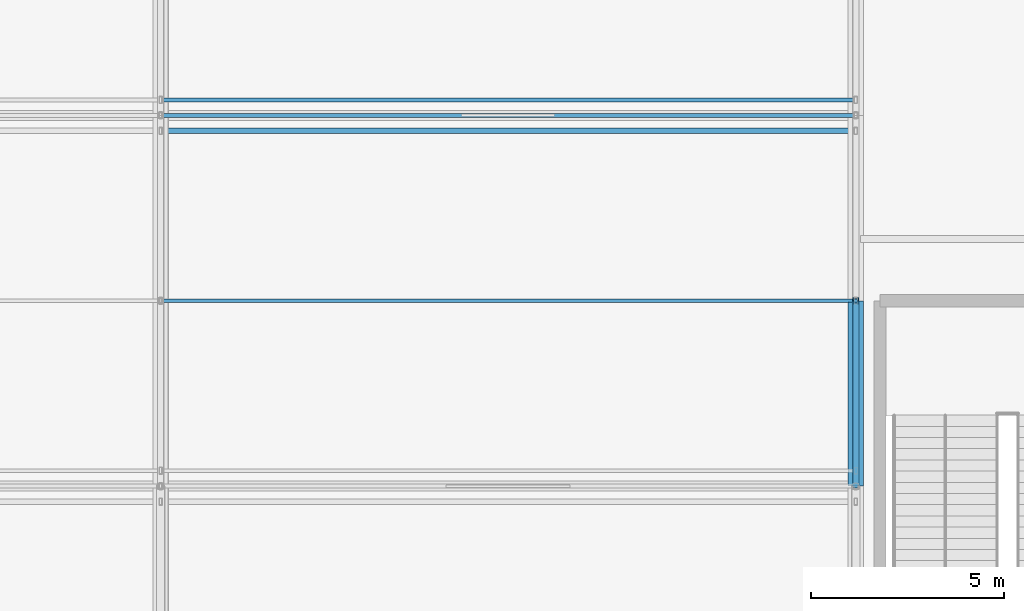
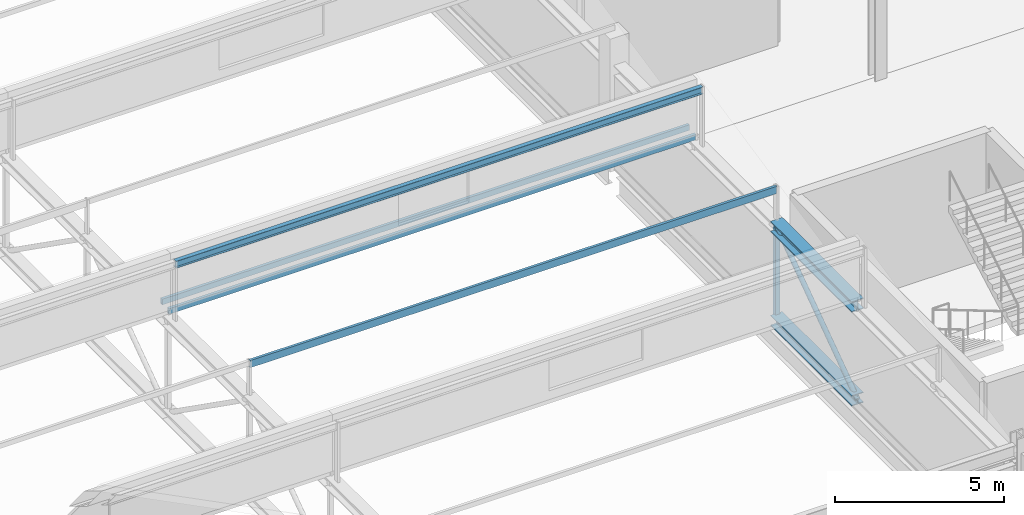
# One storey, part 66 of 136: 6 members, 2 beams.
"""IFC4 building model written with IfcOpenShell, lengths in metres."""

from ifc_helpers import new_model, si_unit, direction, frame, origin, origin_2d, place, context, subcontext, project, spatial, hollow_rectangle, hollow_circle, i_section, u_section, extrude, material, material_profile, profile_set, type_object, element, save


model = new_model("IFC4")

# Units and contexts
model_context = context("Model", 3, precision=1e-05, world=origin(), true_north=direction((0.0, 1.0)))
body_context = subcontext(model_context, "Body", "Model", "MODEL_VIEW")
ifc_project = project(units=[si_unit("LENGTHUNIT", "METRE"), si_unit("AREAUNIT", "SQUARE_METRE"), si_unit("VOLUMEUNIT", "CUBIC_METRE"), si_unit("PLANEANGLEUNIT", "RADIAN"), si_unit("MASSUNIT", "GRAM", prefix="KILO")], contexts=[model_context])

# Site, building, storey
site_placement = place(None, origin())
site = spatial("IfcSite", under=ifc_project, at=site_placement, CompositionType="ELEMENT")
building_placement = place(site_placement, origin())
building = spatial("IfcBuilding", under=site, at=building_placement, Name="Kisiwana Market Hall", CompositionType="ELEMENT")
storey_placement = place(building_placement, frame((0.0, 0.0, 16.800048828125)))
storey = spatial("IfcBuildingStorey", under=building, at=storey_placement, Name="L03", CompositionType="ELEMENT", Elevation=16.800048828125)

# Beams
ifc_material_1 = material(Name="Steel S355", Category="steel")
ifc_material_profile_1 = material_profile(ifc_material_1, i_section(OverallWidth=0.394775390625, OverallDepth=0.381103515625, WebThickness=0.018310546875, FlangeThickness=0.0302734375, at=origin_2d()), Name="UC 356x406x235")
ifc_profile_set_1 = profile_set([ifc_material_profile_1], Name="Steel S355")
beam_type_1 = type_object("IfcBeamType", Name="BM-TRUSS-BOT", PredefinedType="USERDEFINED", material=ifc_profile_set_1)
beam_1_placement = place(storey_placement, frame((153.0, 45.60009765625, 0.22998046875), z_axis=(0.0, 1.0, 0.0), x_axis=(-1.0, 0.0, 0.0)))
element("IfcBeam", 1, at=beam_1_placement, inside=storey, type_object=beam_type_1, Name="TR-08 BC panel 3 B-1320", ObjectType="ROOF TRUSS", PredefinedType="USERDEFINED", context=body_context, shape_type="SweptSolid", body=[
    extrude(i_section(OverallWidth=0.394775390625, OverallDepth=0.381103515625, WebThickness=0.018310546875, FlangeThickness=0.0302734375, at=origin_2d()), origin(), (0.0, 0.0, 1.0), 4.7998046875),
])
ifc_material_2 = material(Name="Steel S355", Category="steel")
ifc_material_profile_2 = material_profile(ifc_material_2, i_section(OverallWidth=0.39892578125, OverallDepth=0.3935546875, WebThickness=0.022705078125, FlangeThickness=0.03662109375, at=origin_2d()), Name="UC 356x406x287")
ifc_profile_set_2 = profile_set([ifc_material_profile_2], Name="Steel S355")
beam_type_2 = type_object("IfcBeamType", Name="BM-TRUSS-TOP", PredefinedType="USERDEFINED", material=ifc_profile_set_2)
beam_2_placement = place(storey_placement, frame((153.0, 45.60009765625, 3.619873046875), z_axis=(0.0, 1.0, 0.0), x_axis=(-1.0, 0.0, 0.0)))
element("IfcBeam", 2, at=beam_2_placement, inside=storey, type_object=beam_type_2, Name="TR-08 TC panel 3 B-1330", ObjectType="ROOF TRUSS", PredefinedType="USERDEFINED", context=body_context, shape_type="SweptSolid", body=[
    extrude(i_section(OverallWidth=0.39892578125, OverallDepth=0.3935546875, WebThickness=0.022705078125, FlangeThickness=0.03662109375, at=origin_2d()), origin(), (0.0, 0.0, 1.0), 4.7998046875),
])

# Members
ifc_material_3 = material(Name="Steel S355", Category="steel")
ifc_material_profile_3 = material_profile(ifc_material_3, u_section(Depth=0.260009765625, FlangeWidth=0.090087890625, WebThickness=0.008056640625, FlangeThickness=0.013916015625, at=origin_2d()), Name="PFC 260x90x35")
ifc_profile_set_3 = profile_set([ifc_material_profile_3], Name="Steel S355")
member_type_1 = type_object("IfcMemberType", Name="MB-PURL-PFC260", PredefinedType="PURLIN", material=ifc_profile_set_3)
member_1_placement = place(storey_placement, frame((135.0, 50.39990234375, 4.90625), z_axis=(1.0, 0.0, 0.0), x_axis=(0.0, 1.0, 0.0)))
element("IfcMember", 3, at=member_1_placement, inside=storey, type_object=member_type_1, Name="Sawtooth mid-slope roof purlin 30 M-0104", PredefinedType="PURLIN", context=body_context, shape_type="SweptSolid", body=[
    extrude(u_section(Depth=0.260009765625, FlangeWidth=0.090087890625, WebThickness=0.008056640625, FlangeThickness=0.013916015625, at=origin_2d()), origin(), (0.0, 0.0, 1.0), 18.0),
])
ifc_material_4 = material(Name="Steel S355", Category="steel")
ifc_material_profile_4 = material_profile(ifc_material_4, hollow_rectangle(XDim=0.10009765625, YDim=0.199951171875, WallThickness=0.008056640625, at=origin_2d()), Name="RHS 200x100x8.0")
ifc_profile_set_4 = profile_set([ifc_material_profile_4], Name="Steel S355")
member_type_2 = type_object("IfcMemberType", Name="MB-ROOF-PURLIN1", PredefinedType="PURLIN", material=ifc_profile_set_4)
for number, where, z_axis, x_axis, name in (
    (4, (135.0, 55.199951171875, 3.90087890625), (1.0, 0.0, 0.0), (0.0, 1.0, 0.0), "Sawtooth roof purlin 242 M-0167"),
    (5, (135.0, 55.60009765625, 4.0009765625), (1.0, 0.0, 0.0), (0.0, 1.0, 0.0), "Sawtooth roof purlin 285 M-0186"),
):
    element("IfcMember", number, at=place(storey_placement, frame(where, z_axis=z_axis, x_axis=x_axis)), inside=storey, type_object=member_type_2, Name=name, PredefinedType="PURLIN", context=body_context, shape_type="SweptSolid", body=[
        extrude(hollow_rectangle(XDim=0.10009765625, YDim=0.199951171875, WallThickness=0.008056640625, at=origin_2d()), origin(), (0.0, 0.0, 1.0), 18.0),
    ])
ifc_material_5 = material(Name="Steel S355", Category="steel")
ifc_material_profile_5 = material_profile(ifc_material_5, i_section(OverallWidth=0.146484375, OverallDepth=0.256103515625, WebThickness=0.00634765625, FlangeThickness=0.010986328125, at=origin_2d()), Name="UB 254x146x37")
ifc_profile_set_5 = profile_set([ifc_material_profile_5], Name="Steel S355")
member_type_3 = type_object("IfcMemberType", Name="MB-ROOF-PURLIN2", PredefinedType="PURLIN", material=ifc_profile_set_5)
member_2_placement = place(storey_placement, frame((135.0, 54.800048828125, 5.843505859375), z_axis=(1.0, 0.0, 0.0), x_axis=(0.0, 1.0, 0.0)))
element("IfcMember", 6, at=member_2_placement, inside=storey, type_object=member_type_3, Name="Sawtooth roof purlin 241 M-0166", PredefinedType="PURLIN", context=body_context, shape_type="SweptSolid", body=[
    extrude(i_section(OverallWidth=0.146484375, OverallDepth=0.256103515625, WebThickness=0.00634765625, FlangeThickness=0.010986328125, at=origin_2d()), origin(), (0.0, 0.0, 1.0), 18.0),
])
ifc_material_6 = material(Name="Steel S355", Category="steel")
ifc_material_profile_6 = material_profile(ifc_material_6, hollow_circle(Radius=0.084228515625, WallThickness=0.010009765625, at=origin_2d()), Name="CHS 168.3x10.0")
ifc_profile_set_6 = profile_set([ifc_material_profile_6], Name="Steel S355")
member_type_4 = type_object("IfcMemberType", Name="MB-TR-DIAG168", PredefinedType="BRACE", material=ifc_profile_set_6)
member_3_placement = place(storey_placement, frame((153.0, 45.60009765625, 0.22998046875), z_axis=(0.0, 0.816823908826, 0.576887079046), x_axis=(-1.0, 0.0, 0.0)))
element("IfcMember", 7, at=member_3_placement, inside=storey, type_object=member_type_4, Name="TR-08 diagonal 3 M-0471", PredefinedType="BRACE", context=body_context, shape_type="SweptSolid", body=[
    extrude(hollow_circle(Radius=0.084228515625, WallThickness=0.010009765625, at=origin_2d()), origin(), (0.0, 0.0, 1.0), 5.876220703125),
])
ifc_material_7 = material(Name="Steel S355", Category="steel")
ifc_material_profile_7 = material_profile(ifc_material_7, hollow_rectangle(XDim=0.14990234375, YDim=0.14990234375, WallThickness=0.008056640625, at=origin_2d()), Name="SHS 150x150x8.0")
ifc_profile_set_7 = profile_set([ifc_material_profile_7], Name="Steel S355")
member_type_5 = type_object("IfcMemberType", Name="MB-TR-STRUT200", PredefinedType="STRUT", material=ifc_profile_set_7)
member_4_placement = place(storey_placement, frame((153.0, 50.39990234375, 0.22998046875), z_axis=(0.0, 0.0, 1.0), x_axis=(1.0, 0.0, 0.0)))
element("IfcMember", 8, at=member_4_placement, inside=storey, type_object=member_type_5, Name="TR-08 vertical strut 4 M-0481", PredefinedType="STRUT", context=body_context, shape_type="SweptSolid", body=[
    extrude(hollow_rectangle(XDim=0.14990234375, YDim=0.14990234375, WallThickness=0.008056640625, at=origin_2d()), origin(), (0.0, 0.0, 1.0), 3.389892578125),
])

save(model, "model.ifc")
